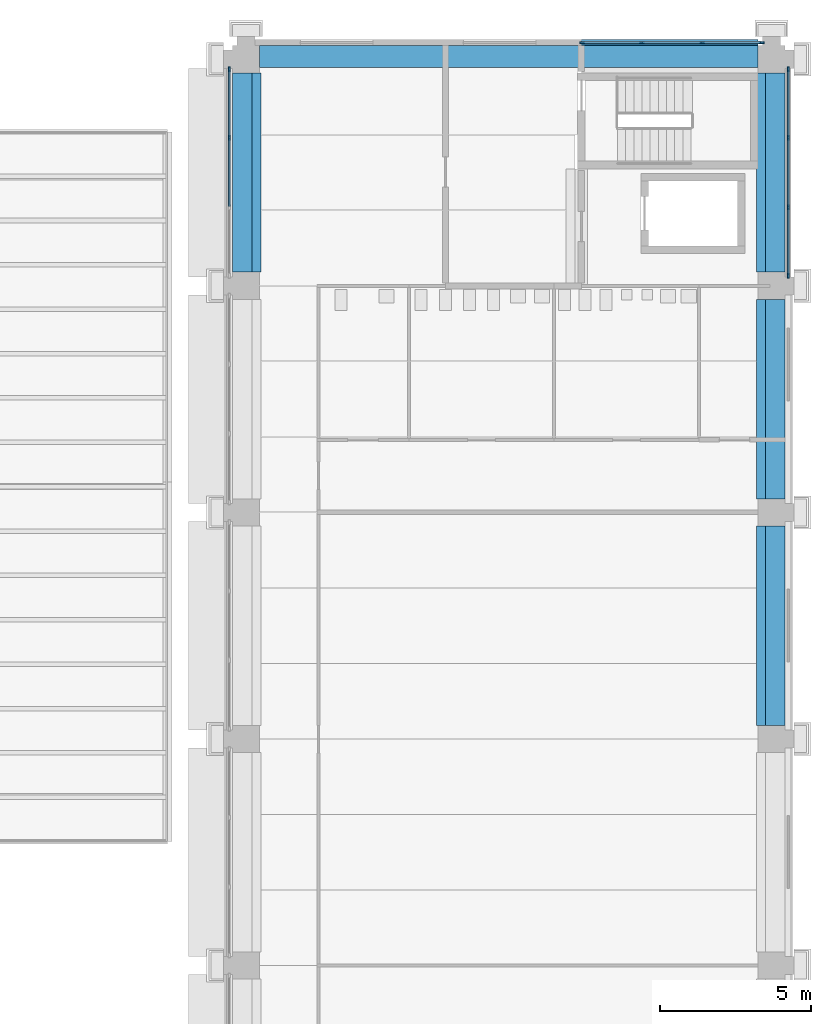
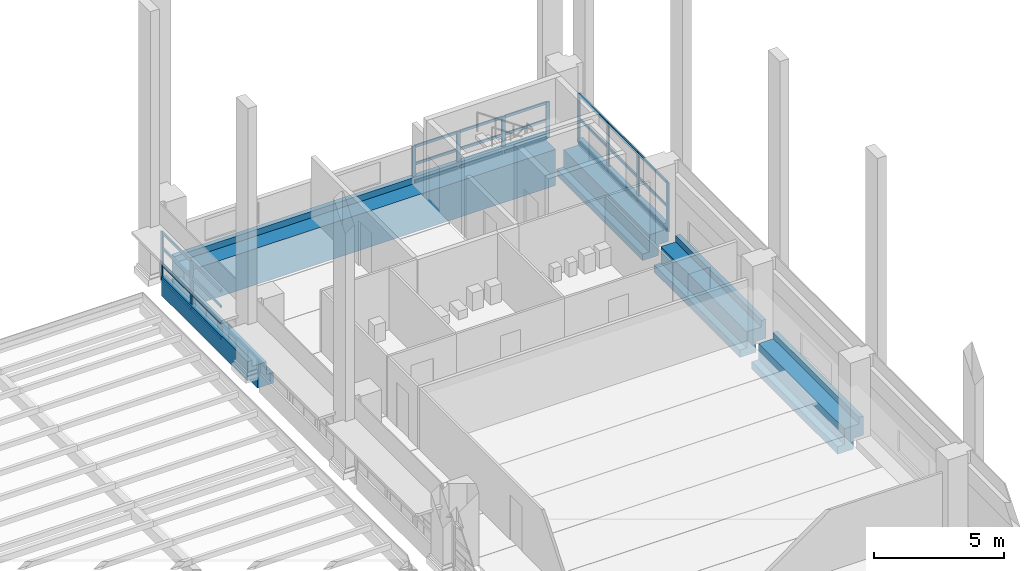
# One storey, part 26 of 67: 36 members, 5 beams, 3 elements without a shape of their own.
"""IFC4 building model written with IfcOpenShell, lengths in metres."""

from ifc_helpers import new_model, si_unit, direction, frame, origin, origin_2d, place, context, subcontext, project, spatial, polyline, rectangle, outline, extrude, material, layer, layer_set, material_profile, profile_set, type_object, element, aggregate, save


model = new_model("IFC4")

# Units and contexts
model_context = context("Model", 3, precision=1e-05, world=origin(), true_north=direction((0.0, 1.0)))
body_context = subcontext(model_context, "Body", "Model", "MODEL_VIEW")
ifc_project = project(units=[si_unit("LENGTHUNIT", "METRE"), si_unit("AREAUNIT", "SQUARE_METRE"), si_unit("VOLUMEUNIT", "CUBIC_METRE"), si_unit("PLANEANGLEUNIT", "RADIAN"), si_unit("MASSUNIT", "GRAM", prefix="KILO")], contexts=[model_context])

# Site, building, storey
site_placement = place(None, origin())
site = spatial("IfcSite", under=ifc_project, at=site_placement, CompositionType="ELEMENT")
building_placement = place(site_placement, origin())
building = spatial("IfcBuilding", under=site, at=building_placement, Name="Cour d'Honneur Mobility Palace", CompositionType="ELEMENT")
storey_placement = place(building_placement, frame((0.0, 0.0, 4.5)))
storey = spatial("IfcBuildingStorey", under=building, at=storey_placement, Name="L01", CompositionType="ELEMENT", Elevation=4.5)

# Curtain wall, members
ifc_material_1 = material(Name="Aluminium and glass", Category="aluminium")
ifc_layer = layer(ifc_material_1, 0.10009765625)
ifc_layer_set = layer_set([ifc_layer], Name="Aluminium and glass")
curtain_wall_type = type_object("IfcCurtainWallType", Name="Curtain wall run", PredefinedType="NOTDEFINED", material=ifc_layer_set)
curtain_wall_1_placement = place(storey_placement, origin())
curtain_wall_1 = element("IfcCurtainWall", 1, at=curtain_wall_1_placement, inside=storey, type_object=curtain_wall_type, Name="Curtain wall CW-44", PredefinedType="NOTDEFINED")
ifc_material_2 = material(Name="Aluminium", Category="aluminium")
ifc_material_profile_1 = material_profile(ifc_material_2, rectangle(XDim=0.06005859375, YDim=0.159912109375, at=origin_2d()), Name="Curtain wall mullion")
ifc_profile_set_1 = profile_set([ifc_material_profile_1], Name="Aluminium")
member_type_1 = type_object("IfcMemberType", Name="Curtain wall mullion", PredefinedType="MULLION", material=ifc_profile_set_1)
member_1_placement = place(storey_placement, frame((144.35009765625, 114.570068359375, 0.0), z_axis=(0.0, 0.0, 1.0), x_axis=(1.0, 0.0, 0.0)))
member_1 = element("IfcMember", 2, at=member_1_placement, type_object=member_type_1, Name="CW-44 mullion 1", PredefinedType="MULLION", context=body_context, shape_type="SweptSolid", body=[
    extrude(rectangle(XDim=0.06005859375, YDim=0.159912109375, at=origin_2d()), origin(), (0.0, 0.0, 1.0), 2.300048828125),
])
member_2_placement = place(storey_placement, frame((144.35009765625, 112.300048828125, 0.0), z_axis=(0.0, 0.0, 1.0), x_axis=(1.0, 0.0, 0.0)))
member_2 = element("IfcMember", 3, at=member_2_placement, type_object=member_type_1, Name="CW-44 mullion 2", PredefinedType="MULLION", context=body_context, shape_type="SweptSolid", body=[
    extrude(rectangle(XDim=0.06005859375, YDim=0.159912109375, at=origin_2d()), origin(), (0.0, 0.0, 1.0), 2.300048828125),
])

curtain_wall_2_placement = place(storey_placement, origin())
curtain_wall_2 = element("IfcCurtainWall", 4, at=curtain_wall_2_placement, inside=storey, type_object=curtain_wall_type, Name="Curtain wall CW-113", PredefinedType="NOTDEFINED")
member_3_placement = place(storey_placement, frame((162.85009765625, 107.72998046875, 0.0), z_axis=(0.0, 0.0, 1.0), x_axis=(-1.0, 0.0, 0.0)))
member_3 = element("IfcMember", 5, at=member_3_placement, type_object=member_type_1, Name="CW-113 mullion 1", PredefinedType="MULLION", context=body_context, shape_type="SweptSolid", body=[
    extrude(rectangle(XDim=0.06005859375, YDim=0.159912109375, at=origin_2d()), origin(), (0.0, 0.0, 1.0), 2.300048828125),
])
member_4_placement = place(storey_placement, frame((162.85009765625, 110.0, 0.0), z_axis=(0.0, 0.0, 1.0), x_axis=(-1.0, 0.0, 0.0)))
member_4 = element("IfcMember", 6, at=member_4_placement, type_object=member_type_1, Name="CW-113 mullion 2", PredefinedType="MULLION", context=body_context, shape_type="SweptSolid", body=[
    extrude(rectangle(XDim=0.06005859375, YDim=0.159912109375, at=origin_2d()), origin(), (0.0, 0.0, 1.0), 2.300048828125),
])
member_5_placement = place(storey_placement, frame((162.85009765625, 112.300048828125, 0.0), z_axis=(0.0, 0.0, 1.0), x_axis=(-1.0, 0.0, 0.0)))
member_5 = element("IfcMember", 7, at=member_5_placement, type_object=member_type_1, Name="CW-113 mullion 3", PredefinedType="MULLION", context=body_context, shape_type="SweptSolid", body=[
    extrude(rectangle(XDim=0.06005859375, YDim=0.159912109375, at=origin_2d()), origin(), (0.0, 0.0, 1.0), 2.300048828125),
])
member_6_placement = place(storey_placement, frame((162.85009765625, 114.570068359375, 0.0), z_axis=(0.0, 0.0, 1.0), x_axis=(-1.0, 0.0, 0.0)))
member_6 = element("IfcMember", 8, at=member_6_placement, type_object=member_type_1, Name="CW-113 mullion 4", PredefinedType="MULLION", context=body_context, shape_type="SweptSolid", body=[
    extrude(rectangle(XDim=0.06005859375, YDim=0.159912109375, at=origin_2d()), origin(), (0.0, 0.0, 1.0), 2.300048828125),
])

curtain_wall_3_placement = place(storey_placement, origin())
curtain_wall_3 = element("IfcCurtainWall", 9, at=curtain_wall_3_placement, inside=storey, type_object=curtain_wall_type, Name="Curtain wall CW-114", PredefinedType="NOTDEFINED")
member_7_placement = place(storey_placement, frame((161.969970703125, 115.449951171875, 0.0), z_axis=(0.0, 0.0, 1.0), x_axis=(0.0, -1.0, 0.0)))
member_7 = element("IfcMember", 10, at=member_7_placement, type_object=member_type_1, Name="CW-114 mullion 1", PredefinedType="MULLION", context=body_context, shape_type="SweptSolid", body=[
    extrude(rectangle(XDim=0.06005859375, YDim=0.159912109375, at=origin_2d()), origin(), (0.0, 0.0, 1.0), 1.699951171875),
])
member_8_placement = place(storey_placement, frame((160.0, 115.449951171875, 0.0), z_axis=(0.0, 0.0, 1.0), x_axis=(0.0, -1.0, 0.0)))
member_8 = element("IfcMember", 11, at=member_8_placement, type_object=member_type_1, Name="CW-114 mullion 2", PredefinedType="MULLION", context=body_context, shape_type="SweptSolid", body=[
    extrude(rectangle(XDim=0.06005859375, YDim=0.159912109375, at=origin_2d()), origin(), (0.0, 0.0, 1.0), 1.699951171875),
])
member_9_placement = place(storey_placement, frame((158.0, 115.449951171875, 0.0), z_axis=(0.0, 0.0, 1.0), x_axis=(0.0, -1.0, 0.0)))
member_9 = element("IfcMember", 12, at=member_9_placement, type_object=member_type_1, Name="CW-114 mullion 3", PredefinedType="MULLION", context=body_context, shape_type="SweptSolid", body=[
    extrude(rectangle(XDim=0.06005859375, YDim=0.159912109375, at=origin_2d()), origin(), (0.0, 0.0, 1.0), 1.699951171875),
])
member_10_placement = place(storey_placement, frame((156.030029296875, 115.449951171875, 0.0), z_axis=(0.0, 0.0, 1.0), x_axis=(0.0, -1.0, 0.0)))
member_10 = element("IfcMember", 13, at=member_10_placement, type_object=member_type_1, Name="CW-114 mullion 4", PredefinedType="MULLION", context=body_context, shape_type="SweptSolid", body=[
    extrude(rectangle(XDim=0.06005859375, YDim=0.159912109375, at=origin_2d()), origin(), (0.0, 0.0, 1.0), 1.699951171875),
])

# Member
ifc_material_3 = material(Name="Aluminium", Category="aluminium")
ifc_material_profile_2 = material_profile(ifc_material_3, rectangle(XDim=0.06005859375, YDim=0.1201171875, at=origin_2d()), Name="Curtain wall transom")
ifc_profile_set_2 = profile_set([ifc_material_profile_2], Name="Aluminium")
member_type_2 = type_object("IfcMemberType", Name="Curtain wall transom", PredefinedType="USERDEFINED", material=ifc_profile_set_2)
member_11_placement = place(storey_placement, frame((144.35009765625, 114.5400390625, 0.030029296875), z_axis=(0.0, -1.0, 0.0), x_axis=(1.0, 0.0, 0.0)))
member_11 = element("IfcMember", 14, at=member_11_placement, type_object=member_type_2, Name="CW-44 transom 1.1", ObjectType="TRANSOM", PredefinedType="USERDEFINED", context=body_context, shape_type="SweptSolid", body=[
    extrude(rectangle(XDim=0.06005859375, YDim=0.1201171875, at=origin_2d()), origin(), (0.0, 0.0, 1.0), 2.2099609375),
])

member_12_placement = place(storey_placement, frame((144.35009765625, 114.5400390625, 0.7666015625), z_axis=(0.0, -1.0, 0.0), x_axis=(1.0, 0.0, 0.0)))
member_12 = element("IfcMember", 15, at=member_12_placement, type_object=member_type_2, Name="CW-44 transom 1.2", ObjectType="TRANSOM", PredefinedType="USERDEFINED", context=body_context, shape_type="SweptSolid", body=[
    extrude(rectangle(XDim=0.06005859375, YDim=0.1201171875, at=origin_2d()), origin(), (0.0, 0.0, 1.0), 2.2099609375),
])

member_13_placement = place(storey_placement, frame((144.35009765625, 114.5400390625, 1.533447265625), z_axis=(0.0, -1.0, 0.0), x_axis=(1.0, 0.0, 0.0)))
member_13 = element("IfcMember", 16, at=member_13_placement, type_object=member_type_2, Name="CW-44 transom 1.3", ObjectType="TRANSOM", PredefinedType="USERDEFINED", context=body_context, shape_type="SweptSolid", body=[
    extrude(rectangle(XDim=0.06005859375, YDim=0.1201171875, at=origin_2d()), origin(), (0.0, 0.0, 1.0), 2.2099609375),
])

member_14_placement = place(storey_placement, frame((144.35009765625, 114.5400390625, 2.27001953125), z_axis=(0.0, -1.0, 0.0), x_axis=(1.0, 0.0, 0.0)))
member_14 = element("IfcMember", 17, at=member_14_placement, type_object=member_type_2, Name="CW-44 transom 1.4", ObjectType="TRANSOM", PredefinedType="USERDEFINED", context=body_context, shape_type="SweptSolid", body=[
    extrude(rectangle(XDim=0.06005859375, YDim=0.1201171875, at=origin_2d()), origin(), (0.0, 0.0, 1.0), 2.2099609375),
])

member_15_placement = place(storey_placement, frame((144.35009765625, 112.27001953125, 0.030029296875), z_axis=(0.0, -1.0, 0.0), x_axis=(1.0, 0.0, 0.0)))
member_15 = element("IfcMember", 18, at=member_15_placement, type_object=member_type_2, Name="CW-44 transom 2.1", ObjectType="TRANSOM", PredefinedType="USERDEFINED", context=body_context, shape_type="SweptSolid", body=[
    extrude(rectangle(XDim=0.06005859375, YDim=0.1201171875, at=origin_2d()), origin(), (0.0, 0.0, 1.0), 2.239990234375),
])

member_16_placement = place(storey_placement, frame((144.35009765625, 112.27001953125, 0.7666015625), z_axis=(0.0, -1.0, 0.0), x_axis=(1.0, 0.0, 0.0)))
member_16 = element("IfcMember", 19, at=member_16_placement, type_object=member_type_2, Name="CW-44 transom 2.2", ObjectType="TRANSOM", PredefinedType="USERDEFINED", context=body_context, shape_type="SweptSolid", body=[
    extrude(rectangle(XDim=0.06005859375, YDim=0.1201171875, at=origin_2d()), origin(), (0.0, 0.0, 1.0), 2.239990234375),
])

member_17_placement = place(storey_placement, frame((144.35009765625, 112.27001953125, 1.533447265625), z_axis=(0.0, -1.0, 0.0), x_axis=(1.0, 0.0, 0.0)))
member_17 = element("IfcMember", 20, at=member_17_placement, type_object=member_type_2, Name="CW-44 transom 2.3", ObjectType="TRANSOM", PredefinedType="USERDEFINED", context=body_context, shape_type="SweptSolid", body=[
    extrude(rectangle(XDim=0.06005859375, YDim=0.1201171875, at=origin_2d()), origin(), (0.0, 0.0, 1.0), 2.239990234375),
])

member_18_placement = place(storey_placement, frame((144.35009765625, 112.27001953125, 2.27001953125), z_axis=(0.0, -1.0, 0.0), x_axis=(1.0, 0.0, 0.0)))
member_18 = element("IfcMember", 21, at=member_18_placement, type_object=member_type_2, Name="CW-44 transom 2.4", ObjectType="TRANSOM", PredefinedType="USERDEFINED", context=body_context, shape_type="SweptSolid", body=[
    extrude(rectangle(XDim=0.06005859375, YDim=0.1201171875, at=origin_2d()), origin(), (0.0, 0.0, 1.0), 2.239990234375),
])

aggregate(curtain_wall_1, [member_1, member_2, member_11, member_12, member_13, member_14, member_15, member_16, member_17, member_18])

member_19_placement = place(storey_placement, frame((162.85009765625, 107.760009765625, 0.030029296875), z_axis=(0.0, 1.0, 0.0), x_axis=(-1.0, 0.0, 0.0)))
member_19 = element("IfcMember", 22, at=member_19_placement, type_object=member_type_2, Name="CW-113 transom 1.1", ObjectType="TRANSOM", PredefinedType="USERDEFINED", context=body_context, shape_type="SweptSolid", body=[
    extrude(rectangle(XDim=0.06005859375, YDim=0.1201171875, at=origin_2d()), origin(), (0.0, 0.0, 1.0), 2.2099609375),
])

member_20_placement = place(storey_placement, frame((162.85009765625, 107.760009765625, 1.14990234375), z_axis=(0.0, 1.0, 0.0), x_axis=(-1.0, 0.0, 0.0)))
member_20 = element("IfcMember", 23, at=member_20_placement, type_object=member_type_2, Name="CW-113 transom 1.2", ObjectType="TRANSOM", PredefinedType="USERDEFINED", context=body_context, shape_type="SweptSolid", body=[
    extrude(rectangle(XDim=0.06005859375, YDim=0.1201171875, at=origin_2d()), origin(), (0.0, 0.0, 1.0), 2.2099609375),
])

member_21_placement = place(storey_placement, frame((162.85009765625, 107.760009765625, 2.27001953125), z_axis=(0.0, 1.0, 0.0), x_axis=(-1.0, 0.0, 0.0)))
member_21 = element("IfcMember", 24, at=member_21_placement, type_object=member_type_2, Name="CW-113 transom 1.3", ObjectType="TRANSOM", PredefinedType="USERDEFINED", context=body_context, shape_type="SweptSolid", body=[
    extrude(rectangle(XDim=0.06005859375, YDim=0.1201171875, at=origin_2d()), origin(), (0.0, 0.0, 1.0), 2.2099609375),
])

member_22_placement = place(storey_placement, frame((162.85009765625, 110.030029296875, 0.030029296875), z_axis=(0.0, 1.0, 0.0), x_axis=(-1.0, 0.0, 0.0)))
member_22 = element("IfcMember", 25, at=member_22_placement, type_object=member_type_2, Name="CW-113 transom 2.1", ObjectType="TRANSOM", PredefinedType="USERDEFINED", context=body_context, shape_type="SweptSolid", body=[
    extrude(rectangle(XDim=0.06005859375, YDim=0.1201171875, at=origin_2d()), origin(), (0.0, 0.0, 1.0), 2.239990234375),
])

member_23_placement = place(storey_placement, frame((162.85009765625, 110.030029296875, 1.14990234375), z_axis=(0.0, 1.0, 0.0), x_axis=(-1.0, 0.0, 0.0)))
member_23 = element("IfcMember", 26, at=member_23_placement, type_object=member_type_2, Name="CW-113 transom 2.2", ObjectType="TRANSOM", PredefinedType="USERDEFINED", context=body_context, shape_type="SweptSolid", body=[
    extrude(rectangle(XDim=0.06005859375, YDim=0.1201171875, at=origin_2d()), origin(), (0.0, 0.0, 1.0), 2.239990234375),
])

member_24_placement = place(storey_placement, frame((162.85009765625, 110.030029296875, 2.27001953125), z_axis=(0.0, 1.0, 0.0), x_axis=(-1.0, 0.0, 0.0)))
member_24 = element("IfcMember", 27, at=member_24_placement, type_object=member_type_2, Name="CW-113 transom 2.3", ObjectType="TRANSOM", PredefinedType="USERDEFINED", context=body_context, shape_type="SweptSolid", body=[
    extrude(rectangle(XDim=0.06005859375, YDim=0.1201171875, at=origin_2d()), origin(), (0.0, 0.0, 1.0), 2.239990234375),
])

member_25_placement = place(storey_placement, frame((162.85009765625, 112.330078125, 0.030029296875), z_axis=(0.0, 1.0, 0.0), x_axis=(-1.0, 0.0, 0.0)))
member_25 = element("IfcMember", 28, at=member_25_placement, type_object=member_type_2, Name="CW-113 transom 3.1", ObjectType="TRANSOM", PredefinedType="USERDEFINED", context=body_context, shape_type="SweptSolid", body=[
    extrude(rectangle(XDim=0.06005859375, YDim=0.1201171875, at=origin_2d()), origin(), (0.0, 0.0, 1.0), 2.2099609375),
])

member_26_placement = place(storey_placement, frame((162.85009765625, 112.330078125, 1.14990234375), z_axis=(0.0, 1.0, 0.0), x_axis=(-1.0, 0.0, 0.0)))
member_26 = element("IfcMember", 29, at=member_26_placement, type_object=member_type_2, Name="CW-113 transom 3.2", ObjectType="TRANSOM", PredefinedType="USERDEFINED", context=body_context, shape_type="SweptSolid", body=[
    extrude(rectangle(XDim=0.06005859375, YDim=0.1201171875, at=origin_2d()), origin(), (0.0, 0.0, 1.0), 2.2099609375),
])

member_27_placement = place(storey_placement, frame((162.85009765625, 112.330078125, 2.27001953125), z_axis=(0.0, 1.0, 0.0), x_axis=(-1.0, 0.0, 0.0)))
member_27 = element("IfcMember", 30, at=member_27_placement, type_object=member_type_2, Name="CW-113 transom 3.3", ObjectType="TRANSOM", PredefinedType="USERDEFINED", context=body_context, shape_type="SweptSolid", body=[
    extrude(rectangle(XDim=0.06005859375, YDim=0.1201171875, at=origin_2d()), origin(), (0.0, 0.0, 1.0), 2.2099609375),
])

aggregate(curtain_wall_2, [member_3, member_4, member_5, member_6, member_19, member_20, member_21, member_22, member_23, member_24, member_25, member_26, member_27])

member_28_placement = place(storey_placement, frame((161.93994140625, 115.449951171875, 0.030029296875), z_axis=(-1.0, 0.0, 0.0), x_axis=(0.0, -1.0, 0.0)))
member_28 = element("IfcMember", 31, at=member_28_placement, type_object=member_type_2, Name="CW-114 transom 1.1", ObjectType="TRANSOM", PredefinedType="USERDEFINED", context=body_context, shape_type="SweptSolid", body=[
    extrude(rectangle(XDim=0.06005859375, YDim=0.1201171875, at=origin_2d()), origin(), (0.0, 0.0, 1.0), 1.909912109375),
])

member_29_placement = place(storey_placement, frame((161.93994140625, 115.449951171875, 0.85009765625), z_axis=(-1.0, 0.0, 0.0), x_axis=(0.0, -1.0, 0.0)))
member_29 = element("IfcMember", 32, at=member_29_placement, type_object=member_type_2, Name="CW-114 transom 1.2", ObjectType="TRANSOM", PredefinedType="USERDEFINED", context=body_context, shape_type="SweptSolid", body=[
    extrude(rectangle(XDim=0.06005859375, YDim=0.1201171875, at=origin_2d()), origin(), (0.0, 0.0, 1.0), 1.909912109375),
])

member_30_placement = place(storey_placement, frame((161.93994140625, 115.449951171875, 1.669921875), z_axis=(-1.0, 0.0, 0.0), x_axis=(0.0, -1.0, 0.0)))
member_30 = element("IfcMember", 33, at=member_30_placement, type_object=member_type_2, Name="CW-114 transom 1.3", ObjectType="TRANSOM", PredefinedType="USERDEFINED", context=body_context, shape_type="SweptSolid", body=[
    extrude(rectangle(XDim=0.06005859375, YDim=0.1201171875, at=origin_2d()), origin(), (0.0, 0.0, 1.0), 1.909912109375),
])

member_31_placement = place(storey_placement, frame((159.969970703125, 115.449951171875, 0.030029296875), z_axis=(-1.0, 0.0, 0.0), x_axis=(0.0, -1.0, 0.0)))
member_31 = element("IfcMember", 34, at=member_31_placement, type_object=member_type_2, Name="CW-114 transom 2.1", ObjectType="TRANSOM", PredefinedType="USERDEFINED", context=body_context, shape_type="SweptSolid", body=[
    extrude(rectangle(XDim=0.06005859375, YDim=0.1201171875, at=origin_2d()), origin(), (0.0, 0.0, 1.0), 1.93994140625),
])

member_32_placement = place(storey_placement, frame((159.969970703125, 115.449951171875, 0.85009765625), z_axis=(-1.0, 0.0, 0.0), x_axis=(0.0, -1.0, 0.0)))
member_32 = element("IfcMember", 35, at=member_32_placement, type_object=member_type_2, Name="CW-114 transom 2.2", ObjectType="TRANSOM", PredefinedType="USERDEFINED", context=body_context, shape_type="SweptSolid", body=[
    extrude(rectangle(XDim=0.06005859375, YDim=0.1201171875, at=origin_2d()), origin(), (0.0, 0.0, 1.0), 1.93994140625),
])

member_33_placement = place(storey_placement, frame((159.969970703125, 115.449951171875, 1.669921875), z_axis=(-1.0, 0.0, 0.0), x_axis=(0.0, -1.0, 0.0)))
member_33 = element("IfcMember", 36, at=member_33_placement, type_object=member_type_2, Name="CW-114 transom 2.3", ObjectType="TRANSOM", PredefinedType="USERDEFINED", context=body_context, shape_type="SweptSolid", body=[
    extrude(rectangle(XDim=0.06005859375, YDim=0.1201171875, at=origin_2d()), origin(), (0.0, 0.0, 1.0), 1.93994140625),
])

member_34_placement = place(storey_placement, frame((157.969970703125, 115.449951171875, 0.030029296875), z_axis=(-1.0, 0.0, 0.0), x_axis=(0.0, -1.0, 0.0)))
member_34 = element("IfcMember", 37, at=member_34_placement, type_object=member_type_2, Name="CW-114 transom 3.1", ObjectType="TRANSOM", PredefinedType="USERDEFINED", context=body_context, shape_type="SweptSolid", body=[
    extrude(rectangle(XDim=0.06005859375, YDim=0.1201171875, at=origin_2d()), origin(), (0.0, 0.0, 1.0), 1.909912109375),
])

member_35_placement = place(storey_placement, frame((157.969970703125, 115.449951171875, 0.85009765625), z_axis=(-1.0, 0.0, 0.0), x_axis=(0.0, -1.0, 0.0)))
member_35 = element("IfcMember", 38, at=member_35_placement, type_object=member_type_2, Name="CW-114 transom 3.2", ObjectType="TRANSOM", PredefinedType="USERDEFINED", context=body_context, shape_type="SweptSolid", body=[
    extrude(rectangle(XDim=0.06005859375, YDim=0.1201171875, at=origin_2d()), origin(), (0.0, 0.0, 1.0), 1.909912109375),
])

member_36_placement = place(storey_placement, frame((157.969970703125, 115.449951171875, 1.669921875), z_axis=(-1.0, 0.0, 0.0), x_axis=(0.0, -1.0, 0.0)))
member_36 = element("IfcMember", 39, at=member_36_placement, type_object=member_type_2, Name="CW-114 transom 3.3", ObjectType="TRANSOM", PredefinedType="USERDEFINED", context=body_context, shape_type="SweptSolid", body=[
    extrude(rectangle(XDim=0.06005859375, YDim=0.1201171875, at=origin_2d()), origin(), (0.0, 0.0, 1.0), 1.909912109375),
])

aggregate(curtain_wall_3, [member_7, member_8, member_9, member_10, member_28, member_29, member_30, member_31, member_32, member_33, member_34, member_35, member_36])

# Beams
ifc_material_4 = material(Name="Concrete C45", Category="concrete")
ifc_material_profile_3 = material_profile(ifc_material_4, outline(polyline([(0.27490234375, -1.699951171875), (0.27490234375, -0.60009765625), (0.64990234375, -0.60009765625), (0.64990234375, 0.300048828125), (0.449951171875, 0.300048828125), (0.449951171875, 0.0), (0.27490234375, 0.0), (-0.27490234375, 0.0), (-0.27490234375, -1.699951171875), (0.27490234375, -1.699951171875)])), Name="Edge Spandrel Beam 550x1700 no ledge facade left")
ifc_profile_set_3 = profile_set([ifc_material_profile_3], Name="Concrete C45")
beam_type_1 = type_object("IfcBeamType", Name="Edge Spandrel Beam 550x1700 no ledge facade left", PredefinedType="SPANDREL", material=ifc_profile_set_3)
beam_1_placement = place(storey_placement, frame((145.35009765625, 114.89990234375, 0.0), z_axis=(1.0, 0.0, 0.0), x_axis=(0.0, 1.0, 0.0)))
element("IfcBeam", 40, at=beam_1_placement, inside=storey, type_object=beam_type_1, Name="Precast beam B7 19-20 L01", PredefinedType="SPANDREL", context=body_context, shape_type="SweptSolid", body=[
    extrude(outline(polyline([(0.27490234375, -1.699951171875), (0.27490234375, -0.60009765625), (0.64990234375, -0.60009765625), (0.64990234375, 0.300048828125), (0.449951171875, 0.300048828125), (0.449951171875, 0.0), (0.27490234375, 0.0), (-0.27490234375, 0.0), (-0.27490234375, -1.699951171875), (0.27490234375, -1.699951171875)])), origin(), (0.0, 0.0, 1.0), 16.5),
])
ifc_material_5 = material(Name="Concrete C45", Category="concrete")
ifc_material_profile_4 = material_profile(ifc_material_5, outline(polyline([(0.5, -1.10009765625), (0.5, -0.800048828125), (0.199951171875, -0.800048828125), (0.199951171875, 0.0), (-0.199951171875, 0.0), (-0.449951171875, 0.0), (-0.449951171875, 0.300048828125), (-0.64990234375, 0.300048828125), (-0.64990234375, -0.60009765625), (-0.199951171875, -0.60009765625), (-0.199951171875, -1.10009765625), (0.5, -1.10009765625)])), Name="Ledger Beam 400x1100 ledge left 300 facade right")
ifc_profile_set_4 = profile_set([ifc_material_profile_4], Name="Concrete C45")
beam_type_2 = type_object("IfcBeamType", Name="Ledger Beam 400x1100 ledge left 300 facade right", PredefinedType="BEAM", material=ifc_profile_set_4)
beam_2_placement = place(storey_placement, frame((162.300048828125, 107.85009765625, 0.0), z_axis=(0.0, 1.0, 0.0), x_axis=(-1.0, 0.0, 0.0)))
element("IfcBeam", 41, at=beam_2_placement, inside=storey, type_object=beam_type_2, Name="Precast beam B3 P-Q L01", PredefinedType="BEAM", context=body_context, shape_type="SweptSolid", body=[
    extrude(outline(polyline([(0.5, -1.10009765625), (0.5, -0.800048828125), (0.199951171875, -0.800048828125), (0.199951171875, 0.0), (-0.199951171875, 0.0), (-0.449951171875, 0.0), (-0.449951171875, 0.300048828125), (-0.64990234375, 0.300048828125), (-0.64990234375, -0.60009765625), (-0.199951171875, -0.60009765625), (-0.199951171875, -1.10009765625), (0.5, -1.10009765625)])), origin(), (0.0, 0.0, 1.0), 6.599853515625),
])
ifc_material_6 = material(Name="Concrete C45", Category="concrete")
ifc_material_profile_5 = material_profile(ifc_material_6, outline(polyline([(0.5, -1.10009765625), (0.5, -0.75), (0.199951171875, -0.75), (0.199951171875, 0.0), (-0.199951171875, 0.0), (-0.449951171875, 0.0), (-0.449951171875, 0.300048828125), (-0.64990234375, 0.300048828125), (-0.64990234375, -0.60009765625), (-0.199951171875, -0.60009765625), (-0.199951171875, -1.10009765625), (0.5, -1.10009765625)])), Name="Ledger Beam 400x1100 ledge left 350 facade right")
ifc_profile_set_5 = profile_set([ifc_material_profile_5], Name="Concrete C45")
beam_type_3 = type_object("IfcBeamType", Name="Ledger Beam 400x1100 ledge left 350 facade right", PredefinedType="BEAM", material=ifc_profile_set_5)
for number, where, z_axis, x_axis, name in (
    (42, (162.300048828125, 92.85009765625, 0.0), (0.0, 1.0, 0.0), (-1.0, 0.0, 0.0), "Precast beam B2 M-N L01"),
    (43, (162.300048828125, 100.35009765625, 0.0), (0.0, 1.0, 0.0), (-1.0, 0.0, 0.0), "Precast beam B2 N-P L01"),
):
    element("IfcBeam", number, at=place(storey_placement, frame(where, z_axis=z_axis, x_axis=x_axis)), inside=storey, type_object=beam_type_3, Name=name, PredefinedType="BEAM", context=body_context, shape_type="SweptSolid", body=[
        extrude(outline(polyline([(0.5, -1.10009765625), (0.5, -0.75), (0.199951171875, -0.75), (0.199951171875, 0.0), (-0.199951171875, 0.0), (-0.449951171875, 0.0), (-0.449951171875, 0.300048828125), (-0.64990234375, 0.300048828125), (-0.64990234375, -0.60009765625), (-0.199951171875, -0.60009765625), (-0.199951171875, -1.10009765625), (0.5, -1.10009765625)])), origin(), (0.0, 0.0, 1.0), 6.599853515625),
    ])
ifc_material_7 = material(Name="Concrete C45", Category="concrete")
ifc_material_profile_6 = material_profile(ifc_material_7, outline(polyline([(0.199951171875, -1.10009765625), (0.199951171875, -0.60009765625), (0.64990234375, -0.60009765625), (0.64990234375, 0.300048828125), (0.449951171875, 0.300048828125), (0.449951171875, 0.0), (0.199951171875, 0.0), (-0.199951171875, 0.0), (-0.199951171875, -0.60009765625), (-0.5, -0.60009765625), (-0.5, -1.10009765625), (0.199951171875, -1.10009765625)])), Name="Ledger Beam 400x1100 ledge right 500 facade left")
ifc_profile_set_6 = profile_set([ifc_material_profile_6], Name="Concrete C45")
beam_type_4 = type_object("IfcBeamType", Name="Ledger Beam 400x1100 ledge right 500 facade left", PredefinedType="BEAM", material=ifc_profile_set_6)
beam_3_placement = place(storey_placement, frame((144.89990234375, 107.85009765625, 0.0), z_axis=(0.0, 1.0, 0.0), x_axis=(-1.0, 0.0, 0.0)))
element("IfcBeam", 44, at=beam_3_placement, inside=storey, type_object=beam_type_4, Name="Precast beam B17 P-Q L01", PredefinedType="BEAM", context=body_context, shape_type="SweptSolid", body=[
    extrude(outline(polyline([(0.199951171875, -1.10009765625), (0.199951171875, -0.60009765625), (0.64990234375, -0.60009765625), (0.64990234375, 0.300048828125), (0.449951171875, 0.300048828125), (0.449951171875, 0.0), (0.199951171875, 0.0), (-0.199951171875, 0.0), (-0.199951171875, -0.60009765625), (-0.5, -0.60009765625), (-0.5, -1.10009765625), (0.199951171875, -1.10009765625)])), origin(), (0.0, 0.0, 1.0), 6.599853515625),
])

save(model, "model.ifc")
